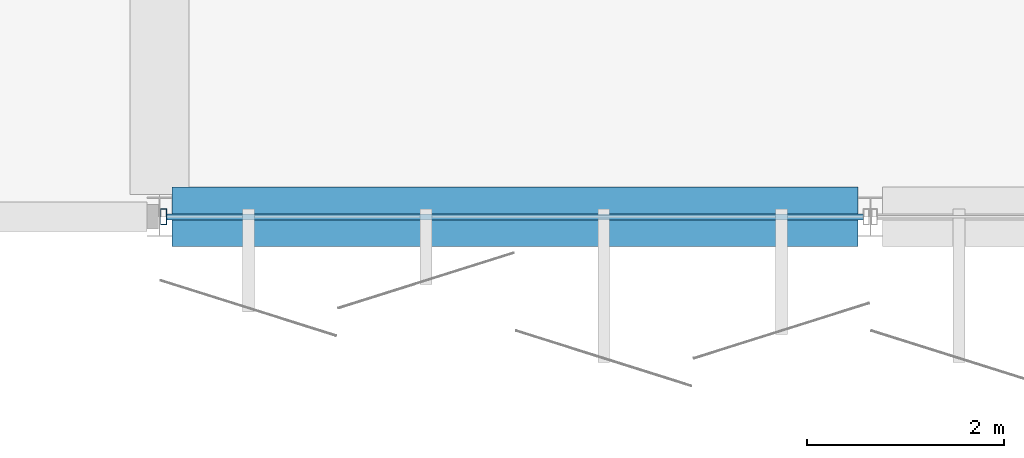
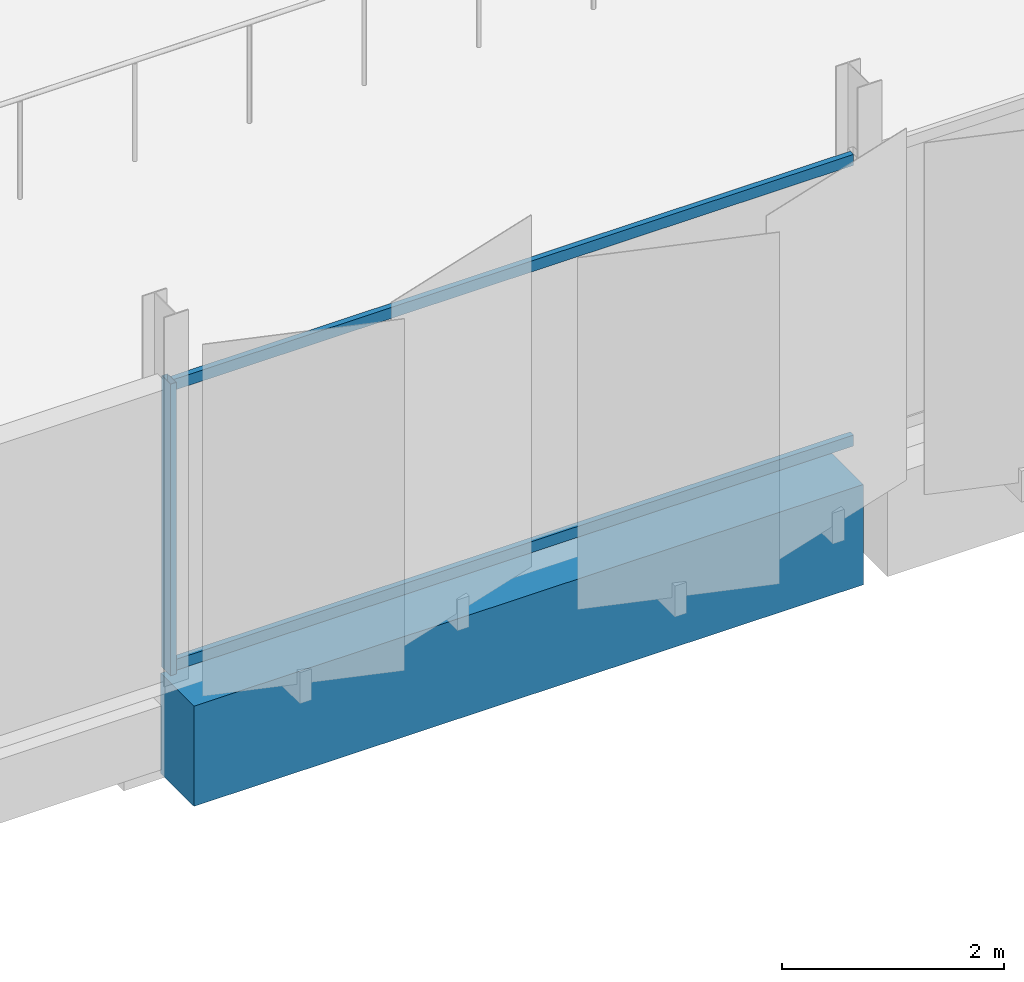
# One storey, part 28 of 107: 3 members, 1 beam, 1 element without a shape of its own.
"""IFC4 building model written with IfcOpenShell, lengths in metres."""

from ifc_helpers import new_model, si_unit, direction, frame, origin, origin_2d, place, context, subcontext, project, spatial, rectangle, hollow_rectangle, extrude, material, layer, layer_set, material_profile, profile_set, type_object, element, aggregate, save


model = new_model("IFC4")

# Units and contexts
model_context = context("Model", 3, precision=1e-05, world=origin(), true_north=direction((0.0, 1.0)))
body_context = subcontext(model_context, "Body", "Model", "MODEL_VIEW")
ifc_project = project(units=[si_unit("LENGTHUNIT", "METRE"), si_unit("AREAUNIT", "SQUARE_METRE"), si_unit("VOLUMEUNIT", "CUBIC_METRE"), si_unit("PLANEANGLEUNIT", "RADIAN"), si_unit("MASSUNIT", "GRAM", prefix="KILO")], contexts=[model_context])

# Site, building, storey
site_placement = place(None, origin())
site = spatial("IfcSite", under=ifc_project, at=site_placement, CompositionType="ELEMENT")
building_placement = place(site_placement, origin())
building = spatial("IfcBuilding", under=site, at=building_placement, Name="Kangsadwip Square Police Headquarters", CompositionType="ELEMENT")
storey_placement = place(building_placement, frame((0.0, 0.0, 5.39990234375)))
storey = spatial("IfcBuildingStorey", under=building, at=storey_placement, Name="L01", CompositionType="ELEMENT", Elevation=5.39990234375)

# Curtain wall, members
ifc_material_1 = material(Name="Thermally broken anodised aluminium AW-6063-T6", Category="aluminium")
ifc_layer = layer(ifc_material_1, 0.159912109375)
ifc_layer_set = layer_set([ifc_layer], Name="Thermally broken anodised aluminium AW-6063-T6")
curtain_wall_type = type_object("IfcCurtainWallType", Name="CourtScreen7180x3200", PredefinedType="USERDEFINED", material=ifc_layer_set)
curtain_wall_placement = place(storey_placement, origin())
curtain_wall = element("IfcCurtainWall", 1, at=curtain_wall_placement, inside=storey, type_object=curtain_wall_type, Name="Curtain Wall CW-L01-0432-0864", ObjectType="GLAZED_SCREEN", PredefinedType="USERDEFINED")
ifc_material_2 = material(Name="Thermally broken anodised aluminium AW-6063-T6", Category="aluminium")
ifc_material_profile_1 = material_profile(ifc_material_2, hollow_rectangle(XDim=0.06005859375, YDim=0.159912109375, WallThickness=0.00390625, at=origin_2d()), Name="CWM 160X60X4")
ifc_profile_set_1 = profile_set([ifc_material_profile_1], Name="Thermally broken anodised aluminium AW-6063-T6")
member_type_1 = type_object("IfcMemberType", Name="CwMullion135x60", PredefinedType="MULLION", material=ifc_profile_set_1)
member_1_placement = place(storey_placement, frame((43.239990234375, 86.39990234375, 0.0), z_axis=(0.0, 0.0, 1.0), x_axis=(1.0, 0.0, 0.0)))
member_1 = element("IfcMember", 2, at=member_1_placement, type_object=member_type_1, Name="CW-17 mullion 1", PredefinedType="MULLION", context=body_context, shape_type="SweptSolid", body=[
    extrude(hollow_rectangle(XDim=0.06005859375, YDim=0.159912109375, WallThickness=0.00390625, at=origin_2d()), origin(), (0.0, 0.0, 1.0), 3.2001953125),
])
ifc_material_3 = material(Name="Thermally broken anodised aluminium AW-6063-T6", Category="aluminium")
ifc_material_profile_2 = material_profile(ifc_material_3, hollow_rectangle(XDim=0.06005859375, YDim=0.1201171875, WallThickness=0.00390625, at=origin_2d()), Name="CWT 120X60X4")
ifc_profile_set_2 = profile_set([ifc_material_profile_2], Name="Thermally broken anodised aluminium AW-6063-T6")
member_type_2 = type_object("IfcMemberType", Name="CwTransom120x55", PredefinedType="USERDEFINED", material=ifc_profile_set_2)
member_2_placement = place(storey_placement, frame((43.27001953125, 86.39990234375, 0.06005859375), z_axis=(1.0, 0.0, 0.0), x_axis=(0.0, 1.0, 0.0)))
member_2 = element("IfcMember", 3, at=member_2_placement, type_object=member_type_2, Name="CW-17 transom 1.1", ObjectType="TRANSOM", PredefinedType="USERDEFINED", context=body_context, shape_type="SweptSolid", body=[
    extrude(hollow_rectangle(XDim=0.06005859375, YDim=0.1201171875, WallThickness=0.00390625, at=origin_2d()), origin(), (0.0, 0.0, 1.0), 7.06005859375),
])
member_3_placement = place(storey_placement, frame((43.27001953125, 86.39990234375, 3.14013671875), z_axis=(1.0, 0.0, 0.0), x_axis=(0.0, 1.0, 0.0)))
member_3 = element("IfcMember", 4, at=member_3_placement, type_object=member_type_2, Name="CW-17 transom 1.2", ObjectType="TRANSOM", PredefinedType="USERDEFINED", context=body_context, shape_type="SweptSolid", body=[
    extrude(hollow_rectangle(XDim=0.06005859375, YDim=0.1201171875, WallThickness=0.00390625, at=origin_2d()), origin(), (0.0, 0.0, 1.0), 7.06005859375),
])
aggregate(curtain_wall, [member_1, member_2, member_3])

# Beam
ifc_material_4 = material(Name="Concrete M40 (40 MPa)", Category="concrete")
ifc_material_profile_3 = material_profile(ifc_material_4, rectangle(XDim=0.60009765625, YDim=1.10009765625, at=origin_2d()), Name="RC TG 1100X600")
ifc_profile_set_3 = profile_set([ifc_material_profile_3], Name="Concrete M40 (40 MPa)")
beam_type = type_object("IfcBeamType", Name="RcTransfer1100x600", PredefinedType="USERDEFINED", material=ifc_profile_set_3)
beam_placement = place(storey_placement, frame((43.324951171875, 86.39990234375, -0.789794921875), z_axis=(1.0, 0.0, 0.0), x_axis=(0.0, 1.0, 0.0)))
element("IfcBeam", 5, at=beam_placement, inside=storey, type_object=beam_type, Name="Beam BM-L01-X-06-12", ObjectType="TRANSFER_GIRDER", PredefinedType="USERDEFINED", context=body_context, shape_type="SweptSolid", body=[
    extrude(rectangle(XDim=0.60009765625, YDim=1.10009765625, at=origin_2d()), origin(), (0.0, 0.0, 1.0), 6.949951171875),
])

save(model, "model.ifc")
